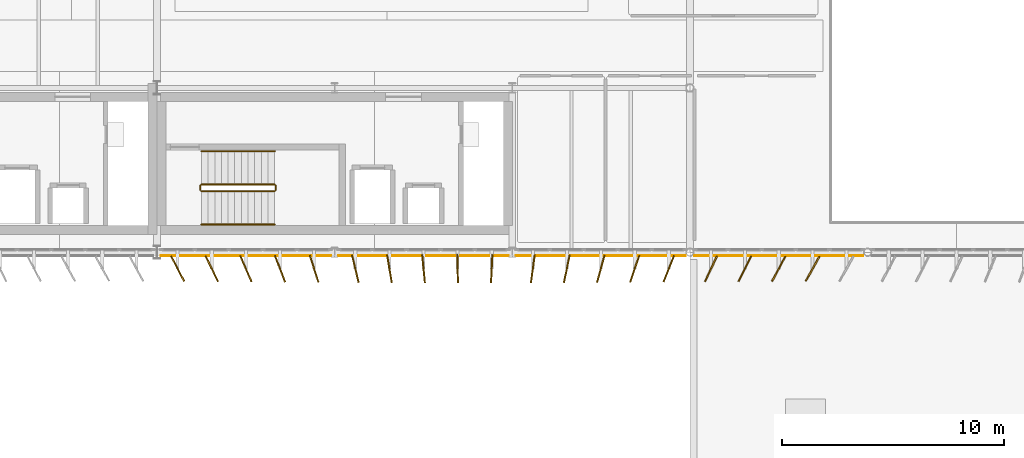
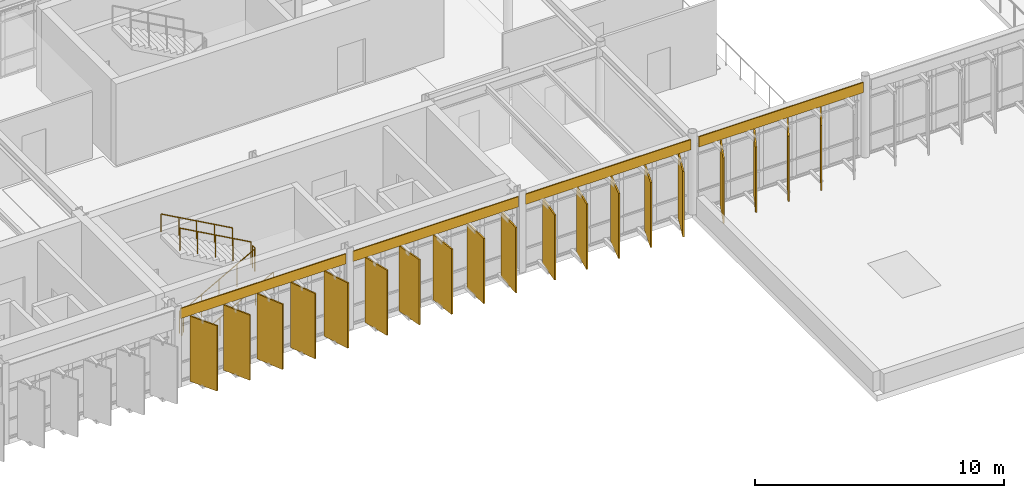
# One storey, part 47 of 56: 23 coverings, 6 railings.
"""IFC4 building model written with IfcOpenShell, lengths in metres."""

from ifc_helpers import new_model, si_unit, direction, frame, frame_2d, origin, origin_2d, place, context, subcontext, project, spatial, rectangle, circle, extrude, material, layer, layer_set, type_object, element, save


model = new_model("IFC4")

# Units and contexts
model_context = context("Model", 3, precision=1e-05, world=origin(), true_north=direction((0.0, 1.0)))
body_context = subcontext(model_context, "Body", "Model", "MODEL_VIEW")
ifc_project = project(units=[si_unit("LENGTHUNIT", "METRE"), si_unit("AREAUNIT", "SQUARE_METRE"), si_unit("VOLUMEUNIT", "CUBIC_METRE"), si_unit("PLANEANGLEUNIT", "RADIAN"), si_unit("MASSUNIT", "GRAM", prefix="KILO")], contexts=[model_context])

# Site, building, storey
site_placement = place(None, origin())
site = spatial("IfcSite", under=ifc_project, at=site_placement, CompositionType="ELEMENT")
building_placement = place(site_placement, origin())
building = spatial("IfcBuilding", under=site, at=building_placement, Name="Valkorina Park Police Headquarters", CompositionType="ELEMENT")
storey_placement = place(building_placement, frame((0.0, 0.0, 14.10009765625)))
storey = spatial("IfcBuildingStorey", under=building, at=storey_placement, Name="L04", CompositionType="ELEMENT", Elevation=14.10009765625)

# Coverings
ifc_material_1 = material(Name="Precast concrete C40/50", Category="concrete")
ifc_layer_1 = layer(ifc_material_1, 0.044921875)
ifc_layer_set_1 = layer_set([ifc_layer_1], Name="Precast concrete C40/50")
covering_type_1 = type_object("IfcCoveringType", Name="COV-CLAD-DOLOMITE", PredefinedType="CLADDING", material=ifc_layer_set_1)
covering_1_placement = place(storey_placement, frame((64.6123046875, 36.840087890625, 3.2548828125), z_axis=(0.0, 0.0, 1.0), x_axis=(-1.0, 0.0, 0.0)))
element("IfcCovering", 1, at=covering_1_placement, inside=storey, type_object=covering_type_1, Name="L04 Spandrel Beam Insulated Fascia 2385", PredefinedType="CLADDING", context=body_context, shape_type="SweptSolid", body=[
    extrude(rectangle(XDim=7.62451171875, YDim=0.044921875, at=frame_2d((3.812255859375, 0.0))), origin(), (0.0, 0.0, 1.0), 0.5),
])
covering_2_placement = place(storey_placement, frame((56.6123046875, 36.840087890625, 3.2548828125), z_axis=(0.0, 0.0, 1.0), x_axis=(-1.0, 0.0, 0.0)))
element("IfcCovering", 2, at=covering_2_placement, inside=storey, type_object=covering_type_1, Name="L04 Spandrel Beam Insulated Fascia 2386", PredefinedType="CLADDING", context=body_context, shape_type="SweptSolid", body=[
    extrude(rectangle(XDim=7.65234375, YDim=0.044921875, at=frame_2d((3.826171875, 0.0))), origin(), (0.0, 0.0, 1.0), 0.5),
])
for number, where, z_axis, x_axis, name in (
    (3, (48.639892578125, 36.840087890625, 3.2548828125), (0.0, 0.0, 1.0), (-1.0, 0.0, 0.0), "L04 Spandrel Beam Insulated Fascia 2387"),
    (4, (40.639892578125, 36.840087890625, 3.2548828125), (0.0, 0.0, 1.0), (-1.0, 0.0, 0.0), "L04 Spandrel Beam Insulated Fascia 2388"),
):
    element("IfcCovering", number, at=place(storey_placement, frame(where, z_axis=z_axis, x_axis=x_axis)), inside=storey, type_object=covering_type_1, Name=name, PredefinedType="CLADDING", context=body_context, shape_type="SweptSolid", body=[
        extrude(rectangle(XDim=7.679931640625, YDim=0.044921875, at=frame_2d((3.83984375, 0.0))), origin(), (0.0, 0.0, 1.0), 0.5),
    ])

# Railings
ifc_material_2 = material(Name="Stainless steel EN 1.4404", Category="steel")
railing_type_1 = type_object("IfcRailingType", Name="RL-GUARD-INT-1100", PredefinedType="BALUSTRADE", material=ifc_material_2)
railing_1_placement = place(storey_placement, frame((34.800048828125, 39.75, 0.16650390625)))
element("IfcRailing", 5, at=railing_1_placement, inside=storey, type_object=railing_type_1, Name="L04 Core C2 Stair Guard 1", PredefinedType="BALUSTRADE", context=body_context, shape_type="SweptSolid", body=[
    extrude(circle(Radius=0.02392578125, at=origin_2d()), frame((0.0, 0.0, 1.09619140625), z_axis=(0.874142023373, 0.0, 0.48567038511), x_axis=(0.0, 1.0, 0.0)), (0.0, 0.0, 1.0), 3.775146484375),
    extrude(circle(Radius=0.02099609375, at=origin_2d()), origin(), (0.0, 0.0, 1.0), 1.072021484375),
    extrude(circle(Radius=0.02099609375, at=origin_2d()), frame((0.824951171875, 0.0, 0.45849609375)), (0.0, 0.0, 1.0), 1.072021484375),
    extrude(circle(Radius=0.02099609375, at=origin_2d()), frame((1.64990234375, 0.0, 0.916748046875)), (0.0, 0.0, 1.0), 1.072021484375),
    extrude(circle(Radius=0.02099609375, at=origin_2d()), frame((2.47509765625, 0.0, 1.375)), (0.0, 0.0, 1.0), 1.072021484375),
    extrude(circle(Radius=0.02099609375, at=origin_2d()), frame((3.300048828125, 0.0, 1.83349609375)), (0.0, 0.0, 1.0), 1.072021484375),
])
railing_2_placement = place(storey_placement, frame((38.14990234375, 39.800048828125, 2.0)))
element("IfcRailing", 6, at=railing_2_placement, inside=storey, type_object=railing_type_1, Name="L04 Core C2 Stair Guard 2", PredefinedType="BALUSTRADE", context=body_context, shape_type="SweptSolid", body=[
    extrude(circle(Radius=0.02392578125, at=origin_2d()), frame((0.0, 0.0, 1.09619140625), z_axis=(0.0, 1.0, 0.0), x_axis=(-1.0, 0.0, 0.0)), (0.0, 0.0, 1.0), 0.199951171875),
    extrude(circle(Radius=0.02099609375, at=origin_2d()), origin(), (0.0, 0.0, 1.0), 1.072021484375),
    extrude(circle(Radius=0.02099609375, at=origin_2d()), frame((0.0, 0.199951171875, 0.0)), (0.0, 0.0, 1.0), 1.072021484375),
])
railing_3_placement = place(storey_placement, frame((38.10009765625, 40.050048828125, 2.16650390625)))
element("IfcRailing", 7, at=railing_3_placement, inside=storey, type_object=railing_type_1, Name="L04 Core C2 Stair Guard 3", PredefinedType="BALUSTRADE", context=body_context, shape_type="SweptSolid", body=[
    extrude(circle(Radius=0.02392578125, at=origin_2d()), frame((0.0, 0.0, 1.09619140625), z_axis=(-0.874142023373, 0.0, 0.48567038511), x_axis=(0.0, -1.0, 0.0)), (0.0, 0.0, 1.0), 3.775146484375),
    extrude(circle(Radius=0.02099609375, at=origin_2d()), origin(), (0.0, 0.0, 1.0), 1.072021484375),
    extrude(circle(Radius=0.02099609375, at=origin_2d()), frame((-0.824951171875, 0.0, 0.45849609375)), (0.0, 0.0, 1.0), 1.072021484375),
    extrude(circle(Radius=0.02099609375, at=origin_2d()), frame((-1.64990234375, 0.0, 0.916748046875)), (0.0, 0.0, 1.0), 1.072021484375),
    extrude(circle(Radius=0.02099609375, at=origin_2d()), frame((-2.47509765625, 0.0, 1.375)), (0.0, 0.0, 1.0), 1.072021484375),
    extrude(circle(Radius=0.02099609375, at=origin_2d()), frame((-3.300048828125, 0.0, 1.83349609375)), (0.0, 0.0, 1.0), 1.072021484375),
])
railing_4_placement = place(storey_placement, frame((34.75, 39.800048828125, 0.0)))
element("IfcRailing", 8, at=railing_4_placement, inside=storey, type_object=railing_type_1, Name="L04 Core C2 Stair Guard 4", PredefinedType="BALUSTRADE", context=body_context, shape_type="SweptSolid", body=[
    extrude(circle(Radius=0.02392578125, at=origin_2d()), frame((0.0, 0.0, 1.09619140625), z_axis=(0.0, 1.0, 0.0), x_axis=(-1.0, 0.0, 0.0)), (0.0, 0.0, 1.0), 0.199951171875),
    extrude(circle(Radius=0.02099609375, at=origin_2d()), origin(), (0.0, 0.0, 1.0), 1.072021484375),
    extrude(circle(Radius=0.02099609375, at=origin_2d()), frame((0.0, 0.199951171875, 0.0)), (0.0, 0.0, 1.0), 1.072021484375),
])
railing_type_2 = type_object("IfcRailingType", Name="RL-HANDRAIL-900", PredefinedType="HANDRAIL", material=ifc_material_2)
railing_5_placement = place(storey_placement, frame((34.800048828125, 38.25, 0.16650390625)))
element("IfcRailing", 9, at=railing_5_placement, inside=storey, type_object=railing_type_2, Name="L04 Core C2 Stair Handrail 1", PredefinedType="HANDRAIL", context=body_context, shape_type="SweptSolid", body=[
    extrude(circle(Radius=0.02392578125, at=origin_2d()), frame((0.0, 0.0, 0.8759765625), z_axis=(0.874142023373, 0.0, 0.48567038511), x_axis=(0.0, 1.0, 0.0)), (0.0, 0.0, 1.0), 3.775146484375),
    extrude(circle(Radius=0.02099609375, at=origin_2d()), origin(), (0.0, 0.0, 1.0), 0.851806640625),
    extrude(circle(Radius=0.02099609375, at=origin_2d()), frame((0.824951171875, 0.0, 0.45849609375)), (0.0, 0.0, 1.0), 0.851806640625),
    extrude(circle(Radius=0.02099609375, at=origin_2d()), frame((1.64990234375, 0.0, 0.916748046875)), (0.0, 0.0, 1.0), 0.851806640625),
    extrude(circle(Radius=0.02099609375, at=origin_2d()), frame((2.47509765625, 0.0, 1.375)), (0.0, 0.0, 1.0), 0.851806640625),
    extrude(circle(Radius=0.02099609375, at=origin_2d()), frame((3.300048828125, 0.0, 1.83349609375)), (0.0, 0.0, 1.0), 0.851806640625),
])
railing_6_placement = place(storey_placement, frame((38.10009765625, 41.550048828125, 2.16650390625)))
element("IfcRailing", 10, at=railing_6_placement, inside=storey, type_object=railing_type_2, Name="L04 Core C2 Stair Handrail 2", PredefinedType="HANDRAIL", context=body_context, shape_type="SweptSolid", body=[
    extrude(circle(Radius=0.02392578125, at=origin_2d()), frame((0.0, 0.0, 0.8759765625), z_axis=(-0.874142023373, 0.0, 0.48567038511), x_axis=(0.0, -1.0, 0.0)), (0.0, 0.0, 1.0), 3.775146484375),
    extrude(circle(Radius=0.02099609375, at=origin_2d()), origin(), (0.0, 0.0, 1.0), 0.851806640625),
    extrude(circle(Radius=0.02099609375, at=origin_2d()), frame((-0.824951171875, 0.0, 0.45849609375)), (0.0, 0.0, 1.0), 0.851806640625),
    extrude(circle(Radius=0.02099609375, at=origin_2d()), frame((-1.64990234375, 0.0, 0.916748046875)), (0.0, 0.0, 1.0), 0.851806640625),
    extrude(circle(Radius=0.02099609375, at=origin_2d()), frame((-2.47509765625, 0.0, 1.375)), (0.0, 0.0, 1.0), 0.851806640625),
    extrude(circle(Radius=0.02099609375, at=origin_2d()), frame((-3.300048828125, 0.0, 1.83349609375)), (0.0, 0.0, 1.0), 0.851806640625),
])

# Coverings
ifc_material_3 = material(Name="Polychrome anodized aluminium - Baltic Amber", Category="aluminium")
ifc_layer_2 = layer(ifc_material_3, 0.06494140625)
ifc_layer_set_2 = layer_set([ifc_layer_2], Name="Polychrome anodized aluminium - Baltic Amber")
covering_type_2 = type_object("IfcCoveringType", Name="SHD-LOUVRE-AMBER", PredefinedType="CLADDING", material=ifc_layer_set_2)
for number, where, z_axis, x_axis, name in (
    (11, (60.800048828125, 36.260009765625, 0.0400390625), (0.0, 0.0, 1.0), (-0.471627607116, -0.88179782275, 0.0), "V5 Polychrome Pivoting Louvre 0104"),
    (12, (54.31640625, 36.260009765625, 0.0400390625), (0.0, 0.0, 1.0), (-0.324082536309, -0.946028810164, 0.0), "V5 Polychrome Pivoting Louvre 0108"),
    (13, (47.8720703125, 36.260009765625, 0.0400390625), (0.0, 0.0, 1.0), (-0.049547056062, -0.998771790368, 0.0), "V5 Polychrome Pivoting Louvre 0112"),
    (14, (41.72802734375, 36.260009765625, 0.0400390625), (0.0, 0.0, 1.0), (0.234124149178, -0.972206707841, 0.0), "V5 Polychrome Pivoting Louvre 0116"),
    (15, (35.263916015625, 36.260009765625, 0.0400390625), (0.0, 0.0, 1.0), (0.435859534333, -0.900014703397, 0.0), "V5 Polychrome Pivoting Louvre 0120"),
):
    element("IfcCovering", number, at=place(storey_placement, frame(where, z_axis=z_axis, x_axis=x_axis)), inside=storey, type_object=covering_type_2, Name=name, PredefinedType="CLADDING", context=body_context, shape_type="SweptSolid", body=[
        extrude(rectangle(XDim=1.280029296875, YDim=0.06494140625, at=origin_2d()), origin(), (0.0, 0.0, 1.0), 3.195068359375),
    ])
ifc_material_4 = material(Name="Polychrome anodized aluminium - Riga Ochre", Category="aluminium")
ifc_layer_3 = layer(ifc_material_4, 0.06494140625)
ifc_layer_set_3 = layer_set([ifc_layer_3], Name="Polychrome anodized aluminium - Riga Ochre")
covering_type_3 = type_object("IfcCoveringType", Name="SHD-LOUVRE-OCHRE", PredefinedType="CLADDING", material=ifc_layer_set_3)
for number, where, z_axis, x_axis, name in (
    (16, (57.750244140625, 36.260009765625, 0.0400390625), (0.0, 0.0, 1.0), (-0.421985436606, -0.906602609357, 0.0), "V5 Polychrome Pivoting Louvre 0106"),
    (17, (51.255615234375, 36.260009765625, 0.0400390625), (0.0, 0.0, 1.0), (-0.204666893315, -0.978831682559, 0.0), "V5 Polychrome Pivoting Louvre 0110"),
    (18, (44.800048828125, 36.260009765625, 0.0400390625), (0.0, 0.0, 1.0), (0.097235493922, -0.995261402206, 0.0), "V5 Polychrome Pivoting Louvre 0114"),
    (19, (38.3359375, 36.260009765625, 0.0400390625), (0.0, 0.0, 1.0), (0.357716100175, -0.933830386995, 0.0), "V5 Polychrome Pivoting Louvre 0118"),
):
    element("IfcCovering", number, at=place(storey_placement, frame(where, z_axis=z_axis, x_axis=x_axis)), inside=storey, type_object=covering_type_3, Name=name, PredefinedType="CLADDING", context=body_context, shape_type="SweptSolid", body=[
        extrude(rectangle(XDim=1.280029296875, YDim=0.06494140625, at=origin_2d()), origin(), (0.0, 0.0, 1.0), 3.195068359375),
    ])
ifc_material_5 = material(Name="Polychrome anodized aluminium - Courland Slate Blue", Category="masonry")
ifc_layer_4 = layer(ifc_material_5, 0.06494140625)
ifc_layer_set_4 = layer_set([ifc_layer_4], Name="Polychrome anodized aluminium - Courland Slate Blue")
covering_type_4 = type_object("IfcCoveringType", Name="SHD-LOUVRE-SLATE", PredefinedType="CLADDING", material=ifc_layer_set_4)
for number, where, z_axis, x_axis, name in (
    (20, (62.324951171875, 36.260009765625, 0.0400390625), (0.0, 0.0, 1.0), (-0.482671075992, -0.875801708379, 0.0), "V5 Polychrome Pivoting Louvre 0103"),
    (21, (55.846923828125, 36.260009765625, 0.0400390625), (0.0, 0.0, 1.0), (-0.372987782576, -0.927836253899, 0.0), "V5 Polychrome Pivoting Louvre 0107"),
    (22, (49.72509765625, 36.260009765625, 0.0400390625), (0.0, 0.0, 1.0), (-0.136580111242, -0.990629029058, 0.0), "V5 Polychrome Pivoting Louvre 0111"),
    (23, (43.263916015625, 36.260009765625, 0.0400390625), (0.0, 0.0, 1.0), (0.167801187722, -0.985820856646, 0.0), "V5 Polychrome Pivoting Louvre 0115"),
    (24, (36.800048828125, 36.260009765625, 0.0400390625), (0.0, 0.0, 1.0), (0.401148557352, -0.916013010243, 0.0), "V5 Polychrome Pivoting Louvre 0119"),
):
    element("IfcCovering", number, at=place(storey_placement, frame(where, z_axis=z_axis, x_axis=x_axis)), inside=storey, type_object=covering_type_4, Name=name, PredefinedType="CLADDING", context=body_context, shape_type="SweptSolid", body=[
        extrude(rectangle(XDim=1.280029296875, YDim=0.06494140625, at=origin_2d()), origin(), (0.0, 0.0, 1.0), 3.195068359375),
    ])
ifc_material_6 = material(Name="Polychrome anodized aluminium - Pine Verdigris", Category="aluminium")
ifc_layer_5 = layer(ifc_material_6, 0.06494140625)
ifc_layer_set_5 = layer_set([ifc_layer_5], Name="Polychrome anodized aluminium - Pine Verdigris")
covering_type_5 = type_object("IfcCoveringType", Name="SHD-LOUVRE-VERDIGRIS", PredefinedType="CLADDING", material=ifc_layer_set_5)
for number, where, z_axis, x_axis, name in (
    (25, (59.275146484375, 36.260009765625, 0.0400390625), (0.0, 0.0, 1.0), (-0.451344835704, -0.892349617181, 0.0), "V5 Polychrome Pivoting Louvre 0105"),
    (26, (52.7861328125, 36.260009765625, 0.0400390625), (0.0, 0.0, 1.0), (-0.267574730274, -0.963537110712, 0.0), "V5 Polychrome Pivoting Louvre 0109"),
    (27, (46.3359375, 36.260009765625, 0.0400390625), (0.0, 0.0, 1.0), (0.024257696956, -0.999705738774, 0.0), "V5 Polychrome Pivoting Louvre 0113"),
    (28, (39.8720703125, 36.260009765625, 0.0400390625), (0.0, 0.0, 1.0), (0.306027642189, -0.952022626946, 0.0), "V5 Polychrome Pivoting Louvre 0117"),
    (29, (33.72802734375, 36.260009765625, 0.0400390625), (0.0, 0.0, 1.0), (0.461438959919, -0.887171959808, 0.0), "V5 Polychrome Pivoting Louvre 0121"),
):
    element("IfcCovering", number, at=place(storey_placement, frame(where, z_axis=z_axis, x_axis=x_axis)), inside=storey, type_object=covering_type_5, Name=name, PredefinedType="CLADDING", context=body_context, shape_type="SweptSolid", body=[
        extrude(rectangle(XDim=1.280029296875, YDim=0.06494140625, at=origin_2d()), origin(), (0.0, 0.0, 1.0), 3.195068359375),
    ])

save(model, "model.ifc")
